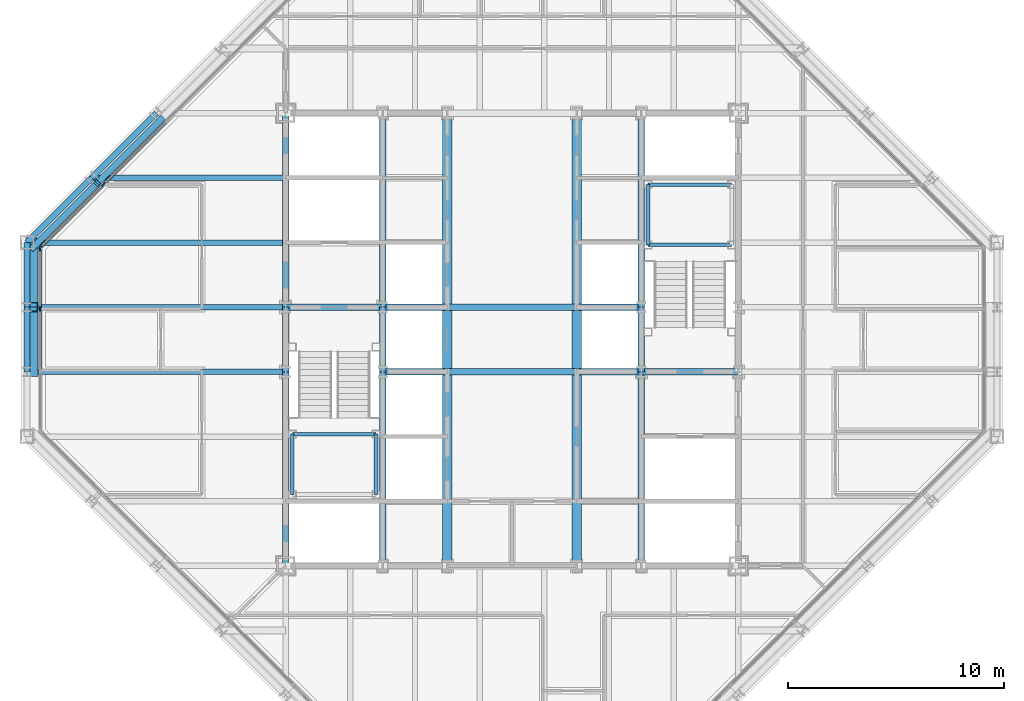
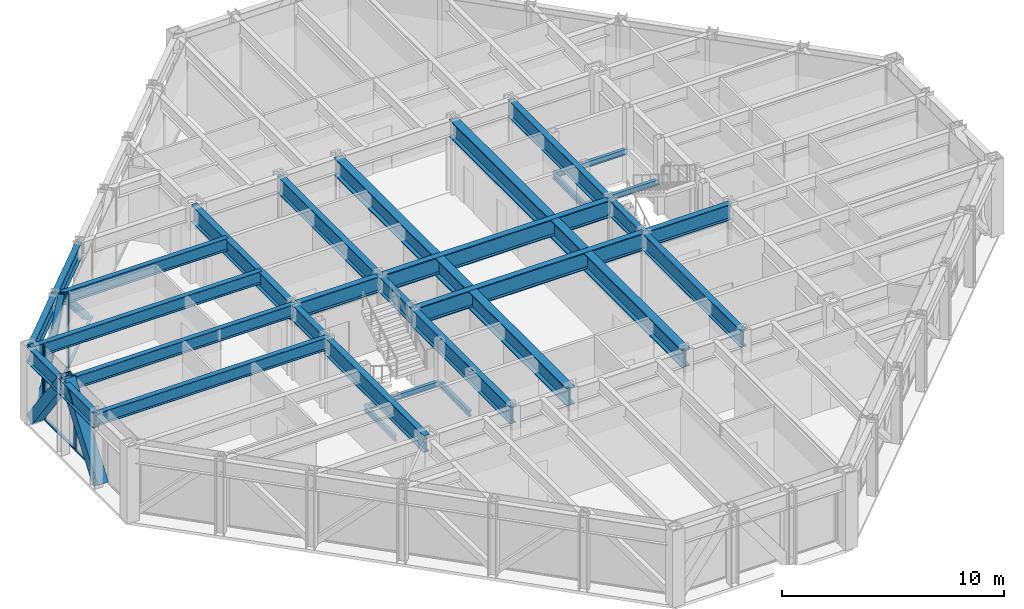
# One storey, part 6 of 15: 33 beams, 12 members, 2 elements without a shape of their own.
"""IFC4 building model written with IfcOpenShell, lengths in metres."""

from ifc_helpers import new_model, si_unit, direction, frame, origin, origin_2d, place, context, subcontext, project, spatial, rectangle, hollow_rectangle, i_section, extrude, material, layer, layer_set, material_profile, profile_set, type_object, element, aggregate, save


model = new_model("IFC4")

# Units and contexts
model_context = context("Model", 3, precision=1e-05, world=origin(), true_north=direction((0.0, 1.0)))
body_context = subcontext(model_context, "Body", "Model", "MODEL_VIEW")
ifc_project = project(units=[si_unit("LENGTHUNIT", "METRE"), si_unit("AREAUNIT", "SQUARE_METRE"), si_unit("VOLUMEUNIT", "CUBIC_METRE"), si_unit("PLANEANGLEUNIT", "RADIAN"), si_unit("MASSUNIT", "GRAM", prefix="KILO")], contexts=[model_context])

# Site, building, storey
site_placement = place(None, origin())
site = spatial("IfcSite", under=ifc_project, at=site_placement, CompositionType="ELEMENT")
building_placement = place(site_placement, origin())
building = spatial("IfcBuilding", under=site, at=building_placement, Name="Chuquiago Exchange Tower", CompositionType="ELEMENT")
storey_placement = place(building_placement, frame((0.0, 0.0, 279.0)))
storey = spatial("IfcBuildingStorey", under=building, at=storey_placement, Name="L62", CompositionType="ELEMENT", Elevation=279.0)

# Beams
ifc_material_1 = material(Name="Steel ASTM A992", Category="steel")
ifc_material_profile_1 = material_profile(ifc_material_1, i_section(OverallWidth=0.25390625, OverallDepth=0.683349609375, WebThickness=0.012451171875, FlangeThickness=0.018798828125, at=origin_2d()), Name="W27X94")
ifc_profile_set_1 = profile_set([ifc_material_profile_1], Name="Steel ASTM A992")
beam_type_1 = type_object("IfcBeamType", Name="B1 W27X94", PredefinedType="BEAM", material=ifc_profile_set_1)
for number, where, z_axis, x_axis, name in (
    (1, (12.0, 21.0, 3.698486328125), (-1.0, 0.0, 0.0), (0.0, -1.0, 0.0), "FB-L63-infill-12_21--0_21-0"),
    (2, (12.0, 24.0, 3.698486328125), (-1.0, 0.0, 0.0), (0.0, -1.0, 0.0), "FB-L63-infill-12_24--0_24-0"),
    (3, (12.0, 27.0, 3.698486328125), (-1.0, 0.0, 0.0), (0.0, -1.0, 0.0), "FB-L63-infill-12_27--0_27-0"),
):
    element("IfcBeam", number, at=place(storey_placement, frame(where, z_axis=z_axis, x_axis=x_axis)), inside=storey, type_object=beam_type_1, Name=name, PredefinedType="BEAM", context=body_context, shape_type="SweptSolid", body=[
        extrude(i_section(OverallWidth=0.25390625, OverallDepth=0.683349609375, WebThickness=0.012451171875, FlangeThickness=0.018798828125, at=origin_2d()), origin(), (0.0, 0.0, 1.0), 12.0),
    ])
beam_1_placement = place(storey_placement, frame((12.0, 30.0, 3.698486328125), z_axis=(-1.0, 0.0, 0.0), x_axis=(0.0, -1.0, 0.0)))
element("IfcBeam", 4, at=beam_1_placement, inside=storey, type_object=beam_type_1, Name="FB-L63-infill-12_30-3_30-0", PredefinedType="BEAM", context=body_context, shape_type="SweptSolid", body=[
    extrude(i_section(OverallWidth=0.25390625, OverallDepth=0.683349609375, WebThickness=0.012451171875, FlangeThickness=0.018798828125, at=origin_2d()), origin(), (0.0, 0.0, 1.0), 9.0),
])
ifc_material_2 = material(Name="Steel ASTM A992", Category="steel")
ifc_material_profile_2 = material_profile(ifc_material_2, i_section(OverallWidth=0.307373046875, OverallDepth=0.927001953125, WebThickness=0.01953125, FlangeThickness=0.031982421875, at=origin_2d()), Name="W36X194")
ifc_profile_set_2 = profile_set([ifc_material_profile_2], Name="Steel ASTM A992")
beam_type_2 = type_object("IfcBeamType", Name="B10 W36X194", PredefinedType="BEAM", material=ifc_profile_set_2)
for number, where, z_axis, x_axis, name in (
    (5, (12.0, 12.0, 3.576416015625), (0.0, 1.0, 0.0), (-1.0, 0.0, 0.0), "CB-L63-12_12-12_21"),
    (6, (12.0, 24.0, 3.576416015625), (0.0, 1.0, 0.0), (-1.0, 0.0, 0.0), "CB-L63-12_24-12_33"),
    (7, (16.5, 12.0, 3.576416015625), (0.0, 1.0, 0.0), (-1.0, 0.0, 0.0), "CB-L63-16.5_12-16.5_21"),
    (8, (16.5, 24.0, 3.576416015625), (0.0, 1.0, 0.0), (-1.0, 0.0, 0.0), "CB-L63-16.5_24-16.5_33"),
    (9, (28.5, 12.0, 3.576416015625), (0.0, 1.0, 0.0), (-1.0, 0.0, 0.0), "CB-L63-28.5_12-28.5_21"),
    (10, (28.5, 24.0, 3.576416015625), (0.0, 1.0, 0.0), (-1.0, 0.0, 0.0), "CB-L63-28.5_24-28.5_33"),
):
    element("IfcBeam", number, at=place(storey_placement, frame(where, z_axis=z_axis, x_axis=x_axis)), inside=storey, type_object=beam_type_2, Name=name, PredefinedType="BEAM", context=body_context, shape_type="SweptSolid", body=[
        extrude(i_section(OverallWidth=0.307373046875, OverallDepth=0.927001953125, WebThickness=0.01953125, FlangeThickness=0.031982421875, at=origin_2d()), origin(), (0.0, 0.0, 1.0), 9.0),
    ])
ifc_material_3 = material(Name="Steel ASTM A992", Category="steel")
ifc_material_profile_3 = material_profile(ifc_material_3, i_section(OverallWidth=0.309814453125, OverallDepth=0.949951171875, WebThickness=0.0244140625, FlangeThickness=0.0439453125, at=origin_2d()), Name="W36X256")
ifc_profile_set_3 = profile_set([ifc_material_profile_3], Name="Steel ASTM A992")
beam_type_3 = type_object("IfcBeamType", Name="B11 W36X256", PredefinedType="BEAM", material=ifc_profile_set_3)
for number, where, z_axis, x_axis, name in (
    (11, (16.5, 21.0, 3.56494140625), (1.0, 0.0, 0.0), (0.0, 1.0, 0.0), "CB-L63-16.5_21-28.5_21"),
    (12, (16.5, 24.0, 3.56494140625), (1.0, 0.0, 0.0), (0.0, 1.0, 0.0), "CB-L63-16.5_24-28.5_24"),
):
    element("IfcBeam", number, at=place(storey_placement, frame(where, z_axis=z_axis, x_axis=x_axis)), inside=storey, type_object=beam_type_3, Name=name, PredefinedType="BEAM", context=body_context, shape_type="SweptSolid", body=[
        extrude(i_section(OverallWidth=0.309814453125, OverallDepth=0.949951171875, WebThickness=0.0244140625, FlangeThickness=0.0439453125, at=origin_2d()), origin(), (0.0, 0.0, 1.0), 12.0),
    ])
ifc_material_4 = material(Name="Steel ASTM A992", Category="steel")
ifc_material_profile_4 = material_profile(ifc_material_4, i_section(OverallWidth=0.4267578125, OverallDepth=0.975341796875, WebThickness=0.031005859375, FlangeThickness=0.055908203125, at=origin_2d()), Name="W36X395")
ifc_profile_set_4 = profile_set([ifc_material_profile_4], Name="Steel ASTM A992")
beam_type_4 = type_object("IfcBeamType", Name="B12 W36X395", PredefinedType="BEAM", material=ifc_profile_set_4)
beam_2_placement = place(storey_placement, frame((19.5, 12.0, 3.55224609375), z_axis=(0.0, 1.0, 0.0), x_axis=(-1.0, 0.0, 0.0)))
element("IfcBeam", 13, at=beam_2_placement, inside=storey, type_object=beam_type_4, Name="CB-L63-19.5_12-19.5_20.8451", PredefinedType="BEAM", context=body_context, shape_type="SweptSolid", body=[
    extrude(i_section(OverallWidth=0.4267578125, OverallDepth=0.975341796875, WebThickness=0.031005859375, FlangeThickness=0.055908203125, at=origin_2d()), origin(), (0.0, 0.0, 1.0), 8.84521484375),
])
beam_3_placement = place(storey_placement, frame((19.5, 21.15478515625, 3.55224609375), z_axis=(0.0, 1.0, 0.0), x_axis=(-1.0, 0.0, 0.0)))
element("IfcBeam", 14, at=beam_3_placement, inside=storey, type_object=beam_type_4, Name="CB-L63-19.5_21.1549-19.5_23.8451", PredefinedType="BEAM", context=body_context, shape_type="SweptSolid", body=[
    extrude(i_section(OverallWidth=0.4267578125, OverallDepth=0.975341796875, WebThickness=0.031005859375, FlangeThickness=0.055908203125, at=origin_2d()), origin(), (0.0, 0.0, 1.0), 2.6904296875),
])
for number, where, z_axis, x_axis, name in (
    (15, (19.5, 24.15478515625, 3.55224609375), (0.0, 1.0, 0.0), (-1.0, 0.0, 0.0), "CB-L63-19.5_24.1549-19.5_33"),
    (16, (25.5, 12.0, 3.55224609375), (0.0, 1.0, 0.0), (-1.0, 0.0, 0.0), "CB-L63-25.5_12-25.5_20.8451"),
):
    element("IfcBeam", number, at=place(storey_placement, frame(where, z_axis=z_axis, x_axis=x_axis)), inside=storey, type_object=beam_type_4, Name=name, PredefinedType="BEAM", context=body_context, shape_type="SweptSolid", body=[
        extrude(i_section(OverallWidth=0.4267578125, OverallDepth=0.975341796875, WebThickness=0.031005859375, FlangeThickness=0.055908203125, at=origin_2d()), origin(), (0.0, 0.0, 1.0), 8.84521484375),
    ])
beam_4_placement = place(storey_placement, frame((25.5, 21.15478515625, 3.55224609375), z_axis=(0.0, 1.0, 0.0), x_axis=(-1.0, 0.0, 0.0)))
element("IfcBeam", 17, at=beam_4_placement, inside=storey, type_object=beam_type_4, Name="CB-L63-25.5_21.1549-25.5_23.8451", PredefinedType="BEAM", context=body_context, shape_type="SweptSolid", body=[
    extrude(i_section(OverallWidth=0.4267578125, OverallDepth=0.975341796875, WebThickness=0.031005859375, FlangeThickness=0.055908203125, at=origin_2d()), origin(), (0.0, 0.0, 1.0), 2.6904296875),
])
beam_5_placement = place(storey_placement, frame((25.5, 24.15478515625, 3.55224609375), z_axis=(0.0, 1.0, 0.0), x_axis=(-1.0, 0.0, 0.0)))
element("IfcBeam", 18, at=beam_5_placement, inside=storey, type_object=beam_type_4, Name="CB-L63-25.5_24.1549-25.5_33", PredefinedType="BEAM", context=body_context, shape_type="SweptSolid", body=[
    extrude(i_section(OverallWidth=0.4267578125, OverallDepth=0.975341796875, WebThickness=0.031005859375, FlangeThickness=0.055908203125, at=origin_2d()), origin(), (0.0, 0.0, 1.0), 8.84521484375),
])
ifc_material_5 = material(Name="Steel ASTM A992", Category="steel")
ifc_material_profile_5 = material_profile(ifc_material_5, i_section(OverallWidth=0.2919921875, OverallDepth=0.8583984375, WebThickness=0.01708984375, FlangeThickness=0.031005859375, at=origin_2d()), Name="W33X169")
ifc_profile_set_5 = profile_set([ifc_material_profile_5], Name="Steel ASTM A992")
beam_type_5 = type_object("IfcBeamType", Name="B3 W33X169", PredefinedType="BEAM", material=ifc_profile_set_5)
for number, where, z_axis, x_axis, name in (
    (19, (12.0, 21.0, 3.610595703125), (0.0, 1.0, 0.0), (-1.0, 0.0, 0.0), "CB-L63-12_21-12_24"),
    (20, (16.5, 21.0, 3.610595703125), (0.0, 1.0, 0.0), (-1.0, 0.0, 0.0), "CB-L63-16.5_21-16.5_24"),
    (21, (28.5, 21.0, 3.610595703125), (0.0, 1.0, 0.0), (-1.0, 0.0, 0.0), "CB-L63-28.5_21-28.5_24"),
):
    element("IfcBeam", number, at=place(storey_placement, frame(where, z_axis=z_axis, x_axis=x_axis)), inside=storey, type_object=beam_type_5, Name=name, PredefinedType="BEAM", context=body_context, shape_type="SweptSolid", body=[
        extrude(i_section(OverallWidth=0.2919921875, OverallDepth=0.8583984375, WebThickness=0.01708984375, FlangeThickness=0.031005859375, at=origin_2d()), origin(), (0.0, 0.0, 1.0), 3.0),
    ])
for number, where, z_axis, x_axis, name in (
    (22, (28.5, 21.0, 3.610595703125), (1.0, 0.0, 0.0), (0.0, 1.0, 0.0), "CB-L63-28.5_21-33_21"),
    (23, (12.0, 24.0, 3.610595703125), (1.0, 0.0, 0.0), (0.0, 1.0, 0.0), "CB-L63-12_24-16.5_24"),
):
    element("IfcBeam", number, at=place(storey_placement, frame(where, z_axis=z_axis, x_axis=x_axis)), inside=storey, type_object=beam_type_5, Name=name, PredefinedType="BEAM", context=body_context, shape_type="SweptSolid", body=[
        extrude(i_section(OverallWidth=0.2919921875, OverallDepth=0.8583984375, WebThickness=0.01708984375, FlangeThickness=0.031005859375, at=origin_2d()), origin(), (0.0, 0.0, 1.0), 4.5),
    ])

# Curtain wall, members
ifc_material_6 = material(Name="Aluminium curtain wall system", Category="aluminium")
ifc_layer_1 = layer(ifc_material_6, 0.22509765625)
ifc_layer_set_1 = layer_set([ifc_layer_1], Name="CW2 office curtain wall")
curtain_wall_type_1 = type_object("IfcCurtainWallType", Name="CW2 office curtain wall", PredefinedType="NOTDEFINED", material=ifc_layer_set_1)
curtain_wall_1_placement = place(storey_placement, origin())
curtain_wall_1 = element("IfcCurtainWall", 24, at=curtain_wall_1_placement, inside=storey, type_object=curtain_wall_type_1, Name="CW2 curtain wall L62", PredefinedType="NOTDEFINED")
ifc_material_7 = material(Name="Aluminium mullion, pale anodised", Category="aluminium")
ifc_material_profile_6 = material_profile(ifc_material_7, rectangle(XDim=0.06494140625, YDim=0.22509765625, at=origin_2d()), Name="AL 65x225")
ifc_profile_set_6 = profile_set([ifc_material_profile_6], Name="Aluminium mullion, pale anodised")
member_type_1 = type_object("IfcMemberType", Name="CW2-M mullion 65x225", PredefinedType="MULLION", material=ifc_profile_set_6)
member_1_placement = place(storey_placement, frame((0.60009765625, 26.718994140625, 0.0), z_axis=(0.0, 0.0, 1.0), x_axis=(1.0, 0.0, 0.0)))
member_1 = element("IfcMember", 25, at=member_1_placement, type_object=member_type_1, Name="CW2 mullion 1", PredefinedType="MULLION", context=body_context, shape_type="SweptSolid", body=[
    extrude(rectangle(XDim=0.06494140625, YDim=0.22509765625, at=origin_2d()), origin(), (0.0, 0.0, 1.0), 4.0400390625),
])
member_2_placement = place(storey_placement, frame((0.60009765625, 23.917236328125, 0.0), z_axis=(0.0, 0.0, 1.0), x_axis=(1.0, 0.0, 0.0)))
member_2 = element("IfcMember", 26, at=member_2_placement, type_object=member_type_1, Name="CW2 mullion 2", PredefinedType="MULLION", context=body_context, shape_type="SweptSolid", body=[
    extrude(rectangle(XDim=0.06494140625, YDim=0.22509765625, at=origin_2d()), origin(), (0.0, 0.0, 1.0), 4.0400390625),
])
ifc_material_8 = material(Name="Aluminium transom, pale anodised", Category="aluminium")
ifc_material_profile_7 = material_profile(ifc_material_8, rectangle(XDim=0.139892578125, YDim=0.06494140625, at=origin_2d()), Name="AL 140x65")
ifc_profile_set_7 = profile_set([ifc_material_profile_7], Name="Aluminium transom, pale anodised")
member_type_2 = type_object("IfcMemberType", Name="CW2-T transom 65x140", PredefinedType="MULLION", material=ifc_profile_set_7)
member_3_placement = place(storey_placement, frame((0.60009765625, 26.6865234375, 0.032470703125), z_axis=(0.0, -1.0, 0.0), x_axis=(1.0, 0.0, 0.0)))
member_3 = element("IfcMember", 27, at=member_3_placement, type_object=member_type_2, Name="CW2 transom 1.1", PredefinedType="MULLION", context=body_context, shape_type="SweptSolid", body=[
    extrude(rectangle(XDim=0.139892578125, YDim=0.06494140625, at=origin_2d()), origin(), (0.0, 0.0, 1.0), 2.73681640625),
])
member_4_placement = place(storey_placement, frame((0.60009765625, 23.884765625, 0.032470703125), z_axis=(0.0, -1.0, 0.0), x_axis=(1.0, 0.0, 0.0)))
member_4 = element("IfcMember", 28, at=member_4_placement, type_object=member_type_2, Name="CW2 transom 2.1", PredefinedType="MULLION", context=body_context, shape_type="SweptSolid", body=[
    extrude(rectangle(XDim=0.139892578125, YDim=0.06494140625, at=origin_2d()), origin(), (0.0, 0.0, 1.0), 2.76953125),
])
aggregate(curtain_wall_1, [member_1, member_2, member_3, member_4])

ifc_material_9 = material(Name="Aluminium curtain wall system", Category="aluminium")
ifc_layer_2 = layer(ifc_material_9, 0.199951171875)
ifc_layer_set_2 = layer_set([ifc_layer_2], Name="CW3 facet curtain wall")
curtain_wall_type_2 = type_object("IfcCurtainWallType", Name="CW3 facet curtain wall", PredefinedType="NOTDEFINED", material=ifc_layer_set_2)
curtain_wall_2_placement = place(storey_placement, origin())
curtain_wall_2 = element("IfcCurtainWall", 29, at=curtain_wall_2_placement, inside=storey, type_object=curtain_wall_type_2, Name="CW3 curtain wall L62", PredefinedType="NOTDEFINED")
ifc_material_10 = material(Name="Aluminium mullion, pale anodised", Category="aluminium")
ifc_material_profile_8 = material_profile(ifc_material_10, rectangle(XDim=0.06494140625, YDim=0.199951171875, at=origin_2d()), Name="AL 65x200")
ifc_profile_set_8 = profile_set([ifc_material_profile_8], Name="Aluminium mullion, pale anodised")
member_type_3 = type_object("IfcMemberType", Name="CW3-M mullion 65x200", PredefinedType="MULLION", material=ifc_profile_set_8)
member_5_placement = place(storey_placement, frame((3.54150390625, 29.69287109375, 0.0), z_axis=(0.0, 0.0, 1.0), x_axis=(0.707106781187, -0.707106781187, 0.0)))
member_5 = element("IfcMember", 30, at=member_5_placement, type_object=member_type_3, Name="CW3 mullion 6", PredefinedType="MULLION", context=body_context, shape_type="SweptSolid", body=[
    extrude(rectangle(XDim=0.06494140625, YDim=0.199951171875, at=origin_2d()), origin(), (0.0, 0.0, 1.0), 4.0400390625),
])
member_6_placement = place(storey_placement, frame((0.623046875, 26.7744140625, 0.0), z_axis=(0.0, 0.0, 1.0), x_axis=(0.707106781187, -0.707106781187, 0.0)))
member_6 = element("IfcMember", 31, at=member_6_placement, type_object=member_type_3, Name="CW3 mullion 7", PredefinedType="MULLION", context=body_context, shape_type="SweptSolid", body=[
    extrude(rectangle(XDim=0.06494140625, YDim=0.199951171875, at=origin_2d()), origin(), (0.0, 0.0, 1.0), 4.0400390625),
])
ifc_material_11 = material(Name="Aluminium transom, pale anodised", Category="aluminium")
ifc_material_profile_9 = material_profile(ifc_material_11, rectangle(XDim=0.139892578125, YDim=0.06494140625, at=origin_2d()), Name="AL 140x65")
ifc_profile_set_9 = profile_set([ifc_material_profile_9], Name="Aluminium transom, pale anodised")
member_type_4 = type_object("IfcMemberType", Name="CW3-T transom 65x140", PredefinedType="MULLION", material=ifc_profile_set_9)
member_7_placement = place(storey_placement, frame((6.4599609375, 32.611328125, 0.032470703125), z_axis=(-0.707106781187, -0.707106781187, 0.0), x_axis=(0.707106781187, -0.707106781187, 0.0)))
member_7 = element("IfcMember", 32, at=member_7_placement, type_object=member_type_4, Name="CW3 transom 5.1", PredefinedType="MULLION", context=body_context, shape_type="SweptSolid", body=[
    extrude(rectangle(XDim=0.139892578125, YDim=0.06494140625, at=origin_2d()), origin(), (0.0, 0.0, 1.0), 4.094970703125),
])
member_8_placement = place(storey_placement, frame((3.5185546875, 29.669921875, 0.032470703125), z_axis=(-0.707106781187, -0.707106781187, 0.0), x_axis=(0.707106781187, -0.707106781187, 0.0)))
member_8 = element("IfcMember", 33, at=member_8_placement, type_object=member_type_4, Name="CW3 transom 6.1", PredefinedType="MULLION", context=body_context, shape_type="SweptSolid", body=[
    extrude(rectangle(XDim=0.139892578125, YDim=0.06494140625, at=origin_2d()), origin(), (0.0, 0.0, 1.0), 4.0625),
])
aggregate(curtain_wall_2, [member_5, member_6, member_7, member_8])

# Members
ifc_material_12 = material(Name="Steel ASTM A500 Grade C", Category="steel")
ifc_material_profile_10 = material_profile(ifc_material_12, hollow_rectangle(XDim=0.3046875, YDim=0.3046875, WallThickness=0.0146484375, at=origin_2d()), Name="HSS12X12X5/8")
ifc_profile_set_10 = profile_set([ifc_material_profile_10], Name="Steel ASTM A500 Grade C")
member_type_5 = type_object("IfcMemberType", Name="LB3 HSS12X12X5/8", PredefinedType="BRACE", material=ifc_profile_set_10)
for number, where, z_axis, x_axis, name in (
    (34, (6.249267578125, 32.750732421875, 0.0), (-0.512077265487, -0.512077265487, 0.689604051861), (0.707106781187, -0.707106781187, 0.0), "LB-L62-6_33-3_30"),
    (35, (0.249267578125, 26.750732421875, 0.0), (0.512077265487, 0.512077265487, 0.689604051861), (-0.707106781187, 0.707106781187, 0.0), "LB-L62-3_30-0_27"),
):
    element("IfcMember", number, at=place(storey_placement, frame(where, z_axis=z_axis, x_axis=x_axis)), inside=storey, type_object=member_type_5, Name=name, PredefinedType="BRACE", context=body_context, shape_type="SweptSolid", body=[
        extrude(hollow_rectangle(XDim=0.3046875, YDim=0.3046875, WallThickness=0.0146484375, at=origin_2d()), origin(), (0.0, 0.0, 1.0), 5.8583984375),
    ])

# Beams
ifc_material_13 = material(Name="Steel ASTM A992", Category="steel")
ifc_material_profile_11 = material_profile(ifc_material_13, i_section(OverallWidth=0.164794921875, OverallDepth=0.309814453125, WebThickness=0.005859375, FlangeThickness=0.009765625, at=origin_2d()), Name="W12X26")
ifc_profile_set_11 = profile_set([ifc_material_profile_11], Name="Steel ASTM A992")
beam_type_6 = type_object("IfcBeamType", Name="LS1 W12X26", PredefinedType="BEAM", material=ifc_profile_set_11)
for number, where, z_axis, x_axis, name in (
    (36, (12.31005859375, 15.31005859375, 1.7451171875), (0.0, 1.0, 0.0), (-1.0, 0.0, 0.0), "Stair ST1 L62 landing 1 stringer"),
    (37, (16.18994140625, 15.31005859375, 1.7451171875), (0.0, 1.0, 0.0), (-1.0, 0.0, 0.0), "Stair ST1 L62 landing 1 stringer"),
    (38, (28.81005859375, 26.889892578125, 1.7451171875), (0.0, 1.0, 0.0), (-1.0, 0.0, 0.0), "Stair ST2 L62 landing 1 stringer"),
):
    element("IfcBeam", number, at=place(storey_placement, frame(where, z_axis=z_axis, x_axis=x_axis)), inside=storey, type_object=beam_type_6, Name=name, PredefinedType="BEAM", context=body_context, shape_type="SweptSolid", body=[
        extrude(i_section(OverallWidth=0.164794921875, OverallDepth=0.309814453125, WebThickness=0.005859375, FlangeThickness=0.009765625, at=origin_2d()), origin(), (0.0, 0.0, 1.0), 2.800048828125),
    ])
ifc_material_14 = material(Name="Steel ASTM A992", Category="steel")
ifc_material_profile_12 = material_profile(ifc_material_14, i_section(OverallWidth=0.164794921875, OverallDepth=0.309814453125, WebThickness=0.005859375, FlangeThickness=0.009765625, at=origin_2d()), Name="W12X26")
ifc_profile_set_12 = profile_set([ifc_material_profile_12], Name="Steel ASTM A992")
beam_type_7 = type_object("IfcBeamType", Name="LT1 W12X26", PredefinedType="BEAM", material=ifc_profile_set_12)
for number, where, z_axis, x_axis, name in (
    (39, (12.31005859375, 18.110107421875, 1.7451171875), (1.0, 0.0, 0.0), (0.0, 1.0, 0.0), "Stair ST1 L62 landing 1 trimmer"),
    (40, (28.81005859375, 29.68994140625, 1.7451171875), (1.0, 0.0, 0.0), (0.0, 1.0, 0.0), "Stair ST2 L62 landing 1 trimmer"),
    (41, (28.81005859375, 26.889892578125, 1.7451171875), (1.0, 0.0, 0.0), (0.0, 1.0, 0.0), "Stair ST2 L62 landing 1 trimmer"),
):
    element("IfcBeam", number, at=place(storey_placement, frame(where, z_axis=z_axis, x_axis=x_axis)), inside=storey, type_object=beam_type_7, Name=name, PredefinedType="BEAM", context=body_context, shape_type="SweptSolid", body=[
        extrude(i_section(OverallWidth=0.164794921875, OverallDepth=0.309814453125, WebThickness=0.005859375, FlangeThickness=0.009765625, at=origin_2d()), origin(), (0.0, 0.0, 1.0), 3.8798828125),
    ])

# Members
ifc_material_15 = material(Name="Steel ASTM A572 Grade 50", Category="steel")
ifc_material_profile_13 = material_profile(ifc_material_15, hollow_rectangle(XDim=0.550048828125, YDim=0.550048828125, WallThickness=0.044921875, at=origin_2d()), Name="BOX550X550X45")
ifc_profile_set_13 = profile_set([ifc_material_profile_13], Name="Steel ASTM A572 Grade 50")
member_type_6 = type_object("IfcMemberType", Name="MB4 BOX550X550X45", PredefinedType="BRACE", material=ifc_profile_set_13)
for number, where, z_axis, x_axis, name in (
    (42, (0.22998046875, 27.0, 0.0), (0.0, -0.596173923302, 0.802855312728), (1.0, 0.0, 0.0), "Mega diagonal L62 W face"),
    (43, (0.22998046875, 21.0, 0.0), (0.0, 0.596173923302, 0.802855312728), (-1.0, 0.0, 0.0), "Mega diagonal L62 W face"),
):
    element("IfcMember", number, at=place(storey_placement, frame(where, z_axis=z_axis, x_axis=x_axis)), inside=storey, type_object=member_type_6, Name=name, PredefinedType="BRACE", context=body_context, shape_type="SweptSolid", body=[
        extrude(hollow_rectangle(XDim=0.550048828125, YDim=0.550048828125, WallThickness=0.044921875, at=origin_2d()), origin(), (0.0, 0.0, 1.0), 5.031982421875),
    ])

# Beams
ifc_material_16 = material(Name="Steel ASTM A992", Category="steel")
ifc_material_profile_14 = material_profile(ifc_material_16, i_section(OverallWidth=0.2919921875, OverallDepth=0.8583984375, WebThickness=0.01708984375, FlangeThickness=0.031005859375, at=origin_2d()), Name="W33X169")
ifc_profile_set_14 = profile_set([ifc_material_profile_14], Name="Steel ASTM A992")
beam_type_8 = type_object("IfcBeamType", Name="SP4 W33X169", PredefinedType="SPANDREL", material=ifc_profile_set_14)
for number, where, z_axis, x_axis, name in (
    (44, (6.0, 33.0, 3.610595703125), (-0.707106781187, -0.707106781187, 0.0), (0.707106781187, -0.707106781187, 0.0), "SPB-L63-6_33-3_30"),
    (45, (3.0, 30.0, 3.610595703125), (-0.707106781187, -0.707106781187, 0.0), (0.707106781187, -0.707106781187, 0.0), "SPB-L63-3_30-0_27"),
):
    element("IfcBeam", number, at=place(storey_placement, frame(where, z_axis=z_axis, x_axis=x_axis)), inside=storey, type_object=beam_type_8, Name=name, PredefinedType="SPANDREL", context=body_context, shape_type="SweptSolid", body=[
        extrude(i_section(OverallWidth=0.2919921875, OverallDepth=0.8583984375, WebThickness=0.01708984375, FlangeThickness=0.031005859375, at=origin_2d()), origin(), (0.0, 0.0, 1.0), 4.24267578125),
    ])
for number, where, z_axis, x_axis, name in (
    (46, (0.0, 27.0, 3.610595703125), (0.0, -1.0, 0.0), (1.0, 0.0, 0.0), "SPB-L63-0_27-0_24"),
    (47, (0.0, 24.0, 3.610595703125), (0.0, -1.0, 0.0), (1.0, 0.0, 0.0), "SPB-L63-0_24-0_21"),
):
    element("IfcBeam", number, at=place(storey_placement, frame(where, z_axis=z_axis, x_axis=x_axis)), inside=storey, type_object=beam_type_8, Name=name, PredefinedType="SPANDREL", context=body_context, shape_type="SweptSolid", body=[
        extrude(i_section(OverallWidth=0.2919921875, OverallDepth=0.8583984375, WebThickness=0.01708984375, FlangeThickness=0.031005859375, at=origin_2d()), origin(), (0.0, 0.0, 1.0), 3.0),
    ])

save(model, "model.ifc")
